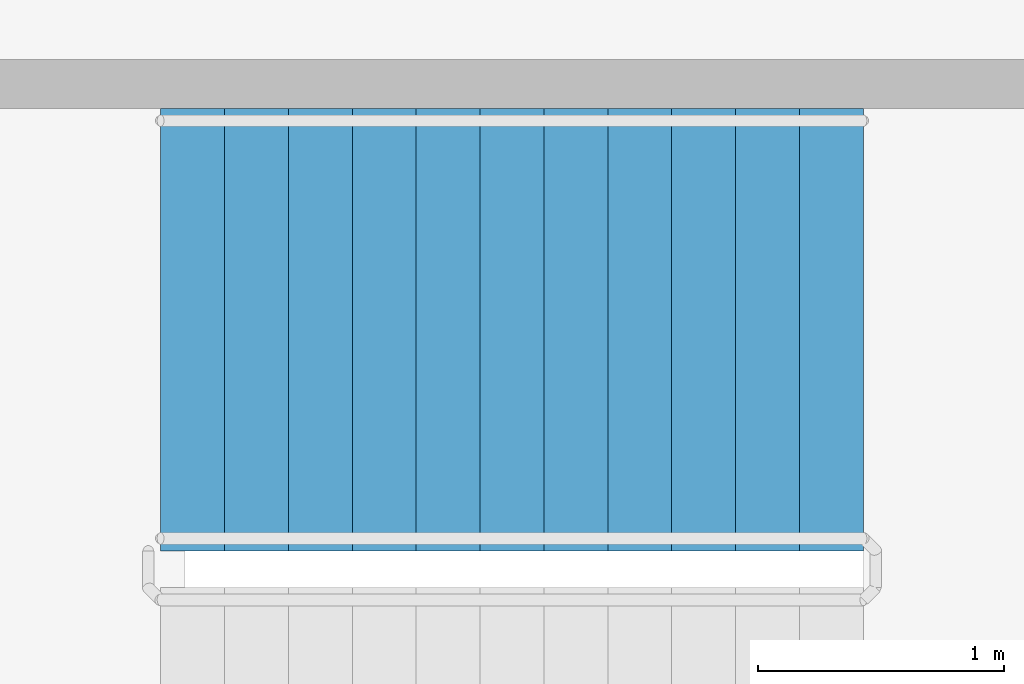
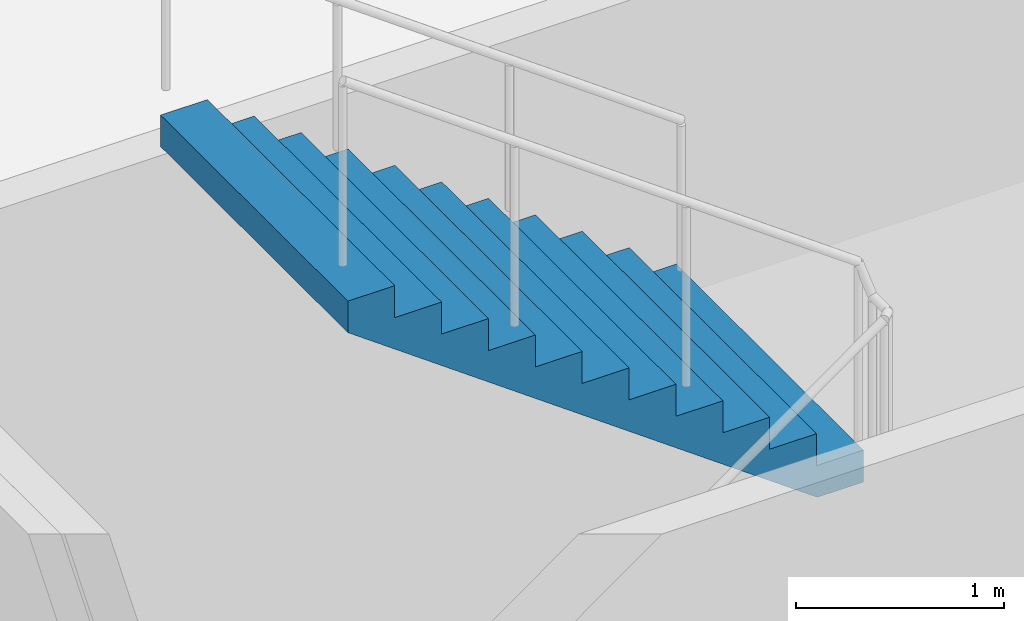
# One storey, part 45 of 49: 1 stair flight, 1 element without a shape of its own.
"""IFC4 building model written with IfcOpenShell, lengths in metres."""

from ifc_helpers import new_model, si_unit, direction, frame, origin, place, context, subcontext, project, spatial, faceted_brep, material, type_object, element, aggregate, save


model = new_model("IFC4")

# Units and contexts
model_context = context("Model", 3, precision=1e-05, world=origin(), true_north=direction((0.0, 1.0)))
body_context = subcontext(model_context, "Body", "Model", "MODEL_VIEW")
ifc_project = project(units=[si_unit("LENGTHUNIT", "METRE"), si_unit("AREAUNIT", "SQUARE_METRE"), si_unit("VOLUMEUNIT", "CUBIC_METRE"), si_unit("PLANEANGLEUNIT", "RADIAN"), si_unit("MASSUNIT", "GRAM", prefix="KILO")], contexts=[model_context])

# Site, building, storey
site_placement = place(None, origin())
site = spatial("IfcSite", under=ifc_project, at=site_placement, CompositionType="ELEMENT")
building_placement = place(site_placement, origin())
building = spatial("IfcBuilding", under=site, at=building_placement, Name="Ipe Terrace Towers", CompositionType="ELEMENT")
storey_placement = place(building_placement, frame((0.0, 0.0, 20.0)))
storey = spatial("IfcBuildingStorey", under=building, at=storey_placement, Name="L04", CompositionType="ELEMENT", Elevation=20.0)

# Stair, stair flight
ifc_material_1 = material(Name="Concrete C30/37", Category="concrete")
stair_type = type_object("IfcStairType", Name="Protected exit stair", PredefinedType="HALF_TURN_STAIR", material=ifc_material_1)
stair_placement = place(storey_placement, origin())
stair = element("IfcStair", 1, at=stair_placement, inside=storey, type_object=stair_type, Name="L04 Podium exit stair PS8", PredefinedType="HALF_TURN_STAIR")
ifc_material_2 = material(Name="Concrete C30/37", Category="concrete")
stair_flight_type = type_object("IfcStairFlightType", Name="Exit stair flight 1800", PredefinedType="STRAIGHT", material=ifc_material_2)
stair_flight_placement = place(storey_placement, frame((61.550048828125, 4.449951171875, 2.25), z_axis=(0.0, 0.0, 1.0), x_axis=(-1.0, 0.0, 0.0)))
stair_flight = element("IfcStairFlight", 2, at=stair_flight_placement, type_object=stair_flight_type, Name="PS8 flight 2", NumberOfRisers=12, NumberOfTreads=11, PredefinedType="STRAIGHT", RiserHeight=0.1875, TreadLength=0.26, context=body_context, shape_type="Brep", body=[
    faceted_brep([(0.25634765625, -0.89990234375, 0.0), (2.860107421875, -0.89990234375, 1.877685546875), (2.860107421875, -0.89990234375, 2.0625), (2.60009765625, -0.89990234375, 2.0625), (2.60009765625, -0.89990234375, 1.875), (2.340087890625, -0.89990234375, 1.875), (2.340087890625, -0.89990234375, 1.6875), (2.080078125, -0.89990234375, 1.6875), (2.080078125, -0.89990234375, 1.5), (1.820068359375, -0.89990234375, 1.5), (1.820068359375, -0.89990234375, 1.3125), (1.56005859375, -0.89990234375, 1.3125), (1.56005859375, -0.89990234375, 1.125), (1.300048828125, -0.89990234375, 1.125), (1.300048828125, -0.89990234375, 0.9375), (1.0400390625, -0.89990234375, 0.9375), (1.0400390625, -0.89990234375, 0.75), (0.780029296875, -0.89990234375, 0.75), (0.780029296875, -0.89990234375, 0.5625), (0.52001953125, -0.89990234375, 0.5625), (0.52001953125, -0.89990234375, 0.375), (0.260009765625, -0.89990234375, 0.375), (0.260009765625, -0.89990234375, 0.1875), (0.0, -0.89990234375, 0.1875), (0.0, -0.89990234375, 0.0), (0.0, 0.89990234375, 0.0), (0.0, 0.89990234375, 0.1875), (0.260009765625, 0.89990234375, 0.1875), (0.260009765625, 0.89990234375, 0.375), (0.52001953125, 0.89990234375, 0.375), (0.52001953125, 0.89990234375, 0.5625), (0.780029296875, 0.89990234375, 0.5625), (0.780029296875, 0.89990234375, 0.75), (1.0400390625, 0.89990234375, 0.75), (1.0400390625, 0.89990234375, 0.9375), (1.300048828125, 0.89990234375, 0.9375), (1.300048828125, 0.89990234375, 1.125), (1.56005859375, 0.89990234375, 1.125), (1.56005859375, 0.89990234375, 1.3125), (1.820068359375, 0.89990234375, 1.3125), (1.820068359375, 0.89990234375, 1.5), (2.080078125, 0.89990234375, 1.5), (2.080078125, 0.89990234375, 1.6875), (2.340087890625, 0.89990234375, 1.6875), (2.340087890625, 0.89990234375, 1.875), (2.60009765625, 0.89990234375, 1.875), (2.60009765625, 0.89990234375, 2.0625), (2.860107421875, 0.89990234375, 2.0625), (2.860107421875, 0.89990234375, 1.877685546875), (0.25634765625, 0.89990234375, 0.0), (0.0, -0.300048828125, 0.1875), (0.0, -0.1201171875, 0.1875), (0.0, -0.06005859375, 0.1875), (0.0, -0.030029296875, 0.1875), (0.0, -0.010009765625, 0.1875), (0.0, 0.0, 0.1875), (0.0, 0.010009765625, 0.1875), (0.0, 0.030029296875, 0.1875), (0.0, 0.06005859375, 0.1875), (0.0, 0.1201171875, 0.1875), (0.0, 0.300048828125, 0.1875), (0.0, 0.300048828125, 0.0), (0.0, 0.1201171875, 0.0), (0.0, 0.06005859375, 0.0), (0.0, 0.030029296875, 0.0), (0.0, 0.010009765625, 0.0), (0.0, 0.0, 0.0), (0.0, -0.010009765625, 0.0), (0.0, -0.030029296875, 0.0), (0.0, -0.06005859375, 0.0), (0.0, -0.1201171875, 0.0), (0.0, -0.300048828125, 0.0), (0.260009765625, -0.300048828125, 0.1875), (0.260009765625, -0.1201171875, 0.1875), (0.260009765625, -0.06005859375, 0.1875), (0.260009765625, -0.030029296875, 0.1875), (0.260009765625, -0.010009765625, 0.1875), (0.260009765625, 0.0, 0.1875), (0.260009765625, 0.010009765625, 0.1875), (0.260009765625, 0.030029296875, 0.1875), (0.260009765625, 0.06005859375, 0.1875), (0.260009765625, 0.1201171875, 0.1875), (0.260009765625, 0.300048828125, 0.1875), (0.260009765625, -0.300048828125, 0.375), (0.260009765625, -0.1201171875, 0.375), (0.260009765625, -0.06005859375, 0.375), (0.260009765625, -0.030029296875, 0.375), (0.260009765625, -0.010009765625, 0.375), (0.260009765625, 0.0, 0.375), (0.260009765625, 0.010009765625, 0.375), (0.260009765625, 0.030029296875, 0.375), (0.260009765625, 0.06005859375, 0.375), (0.260009765625, 0.1201171875, 0.375), (0.260009765625, 0.300048828125, 0.375), (0.52001953125, -0.300048828125, 0.375), (0.52001953125, -0.1201171875, 0.375), (0.52001953125, -0.06005859375, 0.375), (0.52001953125, -0.030029296875, 0.375), (0.52001953125, -0.010009765625, 0.375), (0.52001953125, 0.0, 0.375), (0.52001953125, 0.010009765625, 0.375), (0.52001953125, 0.030029296875, 0.375), (0.52001953125, 0.06005859375, 0.375), (0.52001953125, 0.1201171875, 0.375), (0.52001953125, 0.300048828125, 0.375), (0.52001953125, -0.300048828125, 0.5625), (0.52001953125, -0.1201171875, 0.5625), (0.52001953125, -0.06005859375, 0.5625), (0.52001953125, -0.030029296875, 0.5625), (0.52001953125, -0.010009765625, 0.5625), (0.52001953125, 0.0, 0.5625), (0.52001953125, 0.010009765625, 0.5625), (0.52001953125, 0.030029296875, 0.5625), (0.52001953125, 0.06005859375, 0.5625), (0.52001953125, 0.1201171875, 0.5625), (0.52001953125, 0.300048828125, 0.5625), (0.780029296875, -0.300048828125, 0.5625), (0.780029296875, -0.1201171875, 0.5625), (0.780029296875, -0.06005859375, 0.5625), (0.780029296875, -0.030029296875, 0.5625), (0.780029296875, -0.010009765625, 0.5625), (0.780029296875, 0.0, 0.5625), (0.780029296875, 0.010009765625, 0.5625), (0.780029296875, 0.030029296875, 0.5625), (0.780029296875, 0.06005859375, 0.5625), (0.780029296875, 0.1201171875, 0.5625), (0.780029296875, 0.300048828125, 0.5625), (0.780029296875, -0.300048828125, 0.75), (0.780029296875, -0.1201171875, 0.75), (0.780029296875, -0.06005859375, 0.75), (0.780029296875, -0.030029296875, 0.75), (0.780029296875, -0.010009765625, 0.75), (0.780029296875, 0.0, 0.75), (0.780029296875, 0.010009765625, 0.75), (0.780029296875, 0.030029296875, 0.75), (0.780029296875, 0.06005859375, 0.75), (0.780029296875, 0.1201171875, 0.75), (0.780029296875, 0.300048828125, 0.75), (1.0400390625, -0.300048828125, 0.75), (1.0400390625, -0.1201171875, 0.75), (1.0400390625, -0.06005859375, 0.75), (1.0400390625, -0.030029296875, 0.75), (1.0400390625, -0.010009765625, 0.75), (1.0400390625, 0.0, 0.75), (1.0400390625, 0.010009765625, 0.75), (1.0400390625, 0.030029296875, 0.75), (1.0400390625, 0.06005859375, 0.75), (1.0400390625, 0.1201171875, 0.75), (1.0400390625, 0.300048828125, 0.75), (1.0400390625, -0.300048828125, 0.9375), (1.0400390625, -0.1201171875, 0.9375), (1.0400390625, -0.06005859375, 0.9375), (1.0400390625, -0.030029296875, 0.9375), (1.0400390625, -0.010009765625, 0.9375), (1.0400390625, 0.0, 0.9375), (1.0400390625, 0.010009765625, 0.9375), (1.0400390625, 0.030029296875, 0.9375), (1.0400390625, 0.06005859375, 0.9375), (1.0400390625, 0.1201171875, 0.9375), (1.0400390625, 0.300048828125, 0.9375), (1.300048828125, -0.300048828125, 0.9375), (1.300048828125, -0.1201171875, 0.9375), (1.300048828125, -0.06005859375, 0.9375), (1.300048828125, -0.030029296875, 0.9375), (1.300048828125, -0.010009765625, 0.9375), (1.300048828125, 0.0, 0.9375), (1.300048828125, 0.010009765625, 0.9375), (1.300048828125, 0.030029296875, 0.9375), (1.300048828125, 0.06005859375, 0.9375), (1.300048828125, 0.1201171875, 0.9375), (1.300048828125, 0.300048828125, 0.9375), (1.300048828125, -0.300048828125, 1.125), (1.300048828125, -0.1201171875, 1.125), (1.300048828125, -0.06005859375, 1.125), (1.300048828125, -0.030029296875, 1.125), (1.300048828125, -0.010009765625, 1.125), (1.300048828125, 0.0, 1.125), (1.300048828125, 0.010009765625, 1.125), (1.300048828125, 0.030029296875, 1.125), (1.300048828125, 0.06005859375, 1.125), (1.300048828125, 0.1201171875, 1.125), (1.300048828125, 0.300048828125, 1.125), (1.56005859375, -0.300048828125, 1.125), (1.56005859375, -0.1201171875, 1.125), (1.56005859375, -0.06005859375, 1.125), (1.56005859375, -0.030029296875, 1.125), (1.56005859375, -0.010009765625, 1.125), (1.56005859375, 0.0, 1.125), (1.56005859375, 0.010009765625, 1.125), (1.56005859375, 0.030029296875, 1.125), (1.56005859375, 0.06005859375, 1.125), (1.56005859375, 0.1201171875, 1.125), (1.56005859375, 0.300048828125, 1.125), (1.56005859375, -0.300048828125, 1.3125), (1.56005859375, -0.1201171875, 1.3125), (1.56005859375, -0.06005859375, 1.3125), (1.56005859375, -0.030029296875, 1.3125), (1.56005859375, -0.010009765625, 1.3125), (1.56005859375, 0.0, 1.3125), (1.56005859375, 0.010009765625, 1.3125), (1.56005859375, 0.030029296875, 1.3125), (1.56005859375, 0.06005859375, 1.3125), (1.56005859375, 0.1201171875, 1.3125), (1.56005859375, 0.300048828125, 1.3125), (1.820068359375, -0.300048828125, 1.3125), (1.820068359375, -0.1201171875, 1.3125), (1.820068359375, -0.06005859375, 1.3125), (1.820068359375, -0.030029296875, 1.3125), (1.820068359375, -0.010009765625, 1.3125), (1.820068359375, 0.0, 1.3125), (1.820068359375, 0.010009765625, 1.3125), (1.820068359375, 0.030029296875, 1.3125), (1.820068359375, 0.06005859375, 1.3125), (1.820068359375, 0.1201171875, 1.3125), (1.820068359375, 0.300048828125, 1.3125), (1.820068359375, -0.300048828125, 1.5), (1.820068359375, -0.1201171875, 1.5), (1.820068359375, -0.06005859375, 1.5), (1.820068359375, -0.030029296875, 1.5), (1.820068359375, -0.010009765625, 1.5), (1.820068359375, 0.0, 1.5), (1.820068359375, 0.010009765625, 1.5), (1.820068359375, 0.030029296875, 1.5), (1.820068359375, 0.06005859375, 1.5), (1.820068359375, 0.1201171875, 1.5), (1.820068359375, 0.300048828125, 1.5), (2.080078125, -0.300048828125, 1.5), (2.080078125, -0.1201171875, 1.5), (2.080078125, -0.06005859375, 1.5), (2.080078125, -0.030029296875, 1.5), (2.080078125, -0.010009765625, 1.5), (2.080078125, 0.0, 1.5), (2.080078125, 0.010009765625, 1.5), (2.080078125, 0.030029296875, 1.5), (2.080078125, 0.06005859375, 1.5), (2.080078125, 0.1201171875, 1.5), (2.080078125, 0.300048828125, 1.5), (2.080078125, -0.300048828125, 1.6875), (2.080078125, -0.1201171875, 1.6875), (2.080078125, -0.06005859375, 1.6875), (2.080078125, -0.030029296875, 1.6875), (2.080078125, -0.010009765625, 1.6875), (2.080078125, 0.0, 1.6875), (2.080078125, 0.010009765625, 1.6875), (2.080078125, 0.030029296875, 1.6875), (2.080078125, 0.06005859375, 1.6875), (2.080078125, 0.1201171875, 1.6875), (2.080078125, 0.300048828125, 1.6875), (2.340087890625, -0.300048828125, 1.6875), (2.340087890625, -0.1201171875, 1.6875), (2.340087890625, -0.06005859375, 1.6875), (2.340087890625, -0.030029296875, 1.6875), (2.340087890625, -0.010009765625, 1.6875), (2.340087890625, 0.0, 1.6875), (2.340087890625, 0.010009765625, 1.6875), (2.340087890625, 0.030029296875, 1.6875), (2.340087890625, 0.06005859375, 1.6875), (2.340087890625, 0.1201171875, 1.6875), (2.340087890625, 0.300048828125, 1.6875), (2.340087890625, -0.300048828125, 1.875), (2.340087890625, -0.1201171875, 1.875), (2.340087890625, -0.06005859375, 1.875), (2.340087890625, -0.030029296875, 1.875), (2.340087890625, -0.010009765625, 1.875), (2.340087890625, 0.0, 1.875), (2.340087890625, 0.010009765625, 1.875), (2.340087890625, 0.030029296875, 1.875), (2.340087890625, 0.06005859375, 1.875), (2.340087890625, 0.1201171875, 1.875), (2.340087890625, 0.300048828125, 1.875), (2.60009765625, -0.300048828125, 1.875), (2.60009765625, -0.1201171875, 1.875), (2.60009765625, -0.06005859375, 1.875), (2.60009765625, -0.030029296875, 1.875), (2.60009765625, -0.010009765625, 1.875), (2.60009765625, 0.0, 1.875), (2.60009765625, 0.010009765625, 1.875), (2.60009765625, 0.030029296875, 1.875), (2.60009765625, 0.06005859375, 1.875), (2.60009765625, 0.1201171875, 1.875), (2.60009765625, 0.300048828125, 1.875), (2.60009765625, -0.300048828125, 2.0625), (2.60009765625, -0.1201171875, 2.0625), (2.60009765625, -0.06005859375, 2.0625), (2.60009765625, -0.030029296875, 2.0625), (2.60009765625, -0.010009765625, 2.0625), (2.60009765625, 0.0, 2.0625), (2.60009765625, 0.010009765625, 2.0625), (2.60009765625, 0.030029296875, 2.0625), (2.60009765625, 0.06005859375, 2.0625), (2.60009765625, 0.1201171875, 2.0625), (2.60009765625, 0.300048828125, 2.0625), (2.860107421875, -0.300048828125, 2.0625), (2.860107421875, -0.1201171875, 2.0625), (2.860107421875, -0.06005859375, 2.0625), (2.860107421875, -0.030029296875, 2.0625), (2.860107421875, -0.010009765625, 2.0625), (2.860107421875, 0.0, 2.0625), (2.860107421875, 0.010009765625, 2.0625), (2.860107421875, 0.030029296875, 2.0625), (2.860107421875, 0.06005859375, 2.0625), (2.860107421875, 0.1201171875, 2.0625), (2.860107421875, 0.300048828125, 2.0625), (2.860107421875, -0.300048828125, 1.877685546875), (2.860107421875, -0.1201171875, 1.877685546875), (2.860107421875, -0.06005859375, 1.877685546875), (2.860107421875, -0.030029296875, 1.877685546875), (2.860107421875, -0.010009765625, 1.877685546875), (2.860107421875, 0.0, 1.877685546875), (2.860107421875, 0.010009765625, 1.877685546875), (2.860107421875, 0.030029296875, 1.877685546875), (2.860107421875, 0.06005859375, 1.877685546875), (2.860107421875, 0.1201171875, 1.877685546875), (2.860107421875, 0.300048828125, 1.877685546875), (0.25634765625, -0.300048828125, 0.0), (0.25634765625, -0.1201171875, 0.0), (0.25634765625, -0.06005859375, 0.0), (0.25634765625, -0.030029296875, 0.0), (0.25634765625, -0.010009765625, 0.0), (0.25634765625, 0.0, 0.0), (0.25634765625, 0.010009765625, 0.0), (0.25634765625, 0.030029296875, 0.0), (0.25634765625, 0.06005859375, 0.0), (0.25634765625, 0.1201171875, 0.0), (0.25634765625, 0.300048828125, 0.0)], [[[0, 1, 2, 3, 4, 5, 6, 7, 8, 9, 10, 11, 12, 13, 14, 15, 16, 17, 18, 19, 20, 21, 22, 23, 24]], [[25, 26, 27, 28, 29, 30, 31, 32, 33, 34, 35, 36, 37, 38, 39, 40, 41, 42, 43, 44, 45, 46, 47, 48, 49]], [[23, 50, 51, 52, 53, 54, 55, 56, 57, 58, 59, 60, 26, 25, 61, 62, 63, 64, 65, 66, 67, 68, 69, 70, 71, 24]], [[22, 72, 73, 74, 75, 76, 77, 78, 79, 80, 81, 82, 27, 26, 60, 59, 58, 57, 56, 55, 54, 53, 52, 51, 50, 23]], [[21, 83, 84, 85, 86, 87, 88, 89, 90, 91, 92, 93, 28, 27, 82, 81, 80, 79, 78, 77, 76, 75, 74, 73, 72, 22]], [[20, 94, 95, 96, 97, 98, 99, 100, 101, 102, 103, 104, 29, 28, 93, 92, 91, 90, 89, 88, 87, 86, 85, 84, 83, 21]], [[19, 105, 106, 107, 108, 109, 110, 111, 112, 113, 114, 115, 30, 29, 104, 103, 102, 101, 100, 99, 98, 97, 96, 95, 94, 20]], [[18, 116, 117, 118, 119, 120, 121, 122, 123, 124, 125, 126, 31, 30, 115, 114, 113, 112, 111, 110, 109, 108, 107, 106, 105, 19]], [[17, 127, 128, 129, 130, 131, 132, 133, 134, 135, 136, 137, 32, 31, 126, 125, 124, 123, 122, 121, 120, 119, 118, 117, 116, 18]], [[16, 138, 139, 140, 141, 142, 143, 144, 145, 146, 147, 148, 33, 32, 137, 136, 135, 134, 133, 132, 131, 130, 129, 128, 127, 17]], [[15, 149, 150, 151, 152, 153, 154, 155, 156, 157, 158, 159, 34, 33, 148, 147, 146, 145, 144, 143, 142, 141, 140, 139, 138, 16]], [[14, 160, 161, 162, 163, 164, 165, 166, 167, 168, 169, 170, 35, 34, 159, 158, 157, 156, 155, 154, 153, 152, 151, 150, 149, 15]], [[13, 171, 172, 173, 174, 175, 176, 177, 178, 179, 180, 181, 36, 35, 170, 169, 168, 167, 166, 165, 164, 163, 162, 161, 160, 14]], [[12, 182, 183, 184, 185, 186, 187, 188, 189, 190, 191, 192, 37, 36, 181, 180, 179, 178, 177, 176, 175, 174, 173, 172, 171, 13]], [[11, 193, 194, 195, 196, 197, 198, 199, 200, 201, 202, 203, 38, 37, 192, 191, 190, 189, 188, 187, 186, 185, 184, 183, 182, 12]], [[10, 204, 205, 206, 207, 208, 209, 210, 211, 212, 213, 214, 39, 38, 203, 202, 201, 200, 199, 198, 197, 196, 195, 194, 193, 11]], [[9, 215, 216, 217, 218, 219, 220, 221, 222, 223, 224, 225, 40, 39, 214, 213, 212, 211, 210, 209, 208, 207, 206, 205, 204, 10]], [[8, 226, 227, 228, 229, 230, 231, 232, 233, 234, 235, 236, 41, 40, 225, 224, 223, 222, 221, 220, 219, 218, 217, 216, 215, 9]], [[7, 237, 238, 239, 240, 241, 242, 243, 244, 245, 246, 247, 42, 41, 236, 235, 234, 233, 232, 231, 230, 229, 228, 227, 226, 8]], [[6, 248, 249, 250, 251, 252, 253, 254, 255, 256, 257, 258, 43, 42, 247, 246, 245, 244, 243, 242, 241, 240, 239, 238, 237, 7]], [[5, 259, 260, 261, 262, 263, 264, 265, 266, 267, 268, 269, 44, 43, 258, 257, 256, 255, 254, 253, 252, 251, 250, 249, 248, 6]], [[4, 270, 271, 272, 273, 274, 275, 276, 277, 278, 279, 280, 45, 44, 269, 268, 267, 266, 265, 264, 263, 262, 261, 260, 259, 5]], [[3, 281, 282, 283, 284, 285, 286, 287, 288, 289, 290, 291, 46, 45, 280, 279, 278, 277, 276, 275, 274, 273, 272, 271, 270, 4]], [[2, 292, 293, 294, 295, 296, 297, 298, 299, 300, 301, 302, 47, 46, 291, 290, 289, 288, 287, 286, 285, 284, 283, 282, 281, 3]], [[1, 303, 304, 305, 306, 307, 308, 309, 310, 311, 312, 313, 48, 47, 302, 301, 300, 299, 298, 297, 296, 295, 294, 293, 292, 2]], [[0, 314, 315, 316, 317, 318, 319, 320, 321, 322, 323, 324, 49, 48, 313, 312, 311, 310, 309, 308, 307, 306, 305, 304, 303, 1]], [[24, 71, 70, 69, 68, 67, 66, 65, 64, 63, 62, 61, 25, 49, 324, 323, 322, 321, 320, 319, 318, 317, 316, 315, 314, 0]]]),
])
aggregate(stair, [stair_flight])

save(model, "model.ifc")
